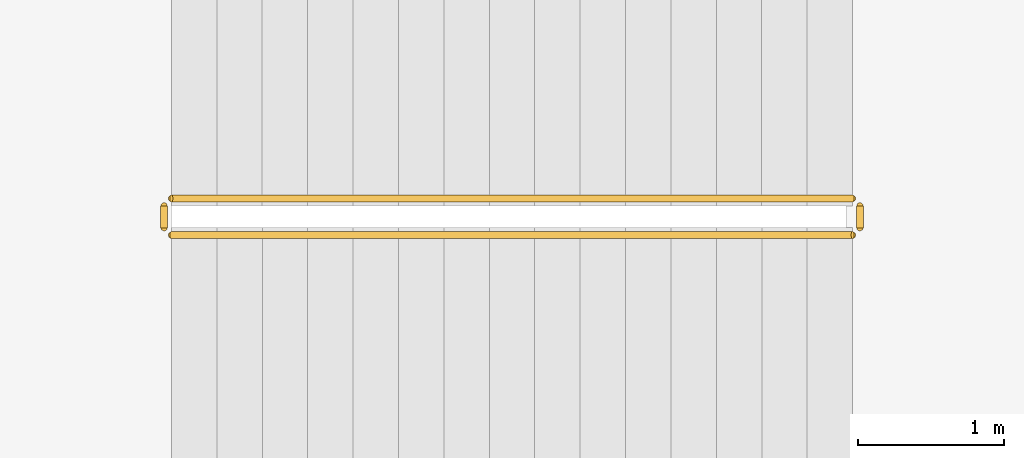
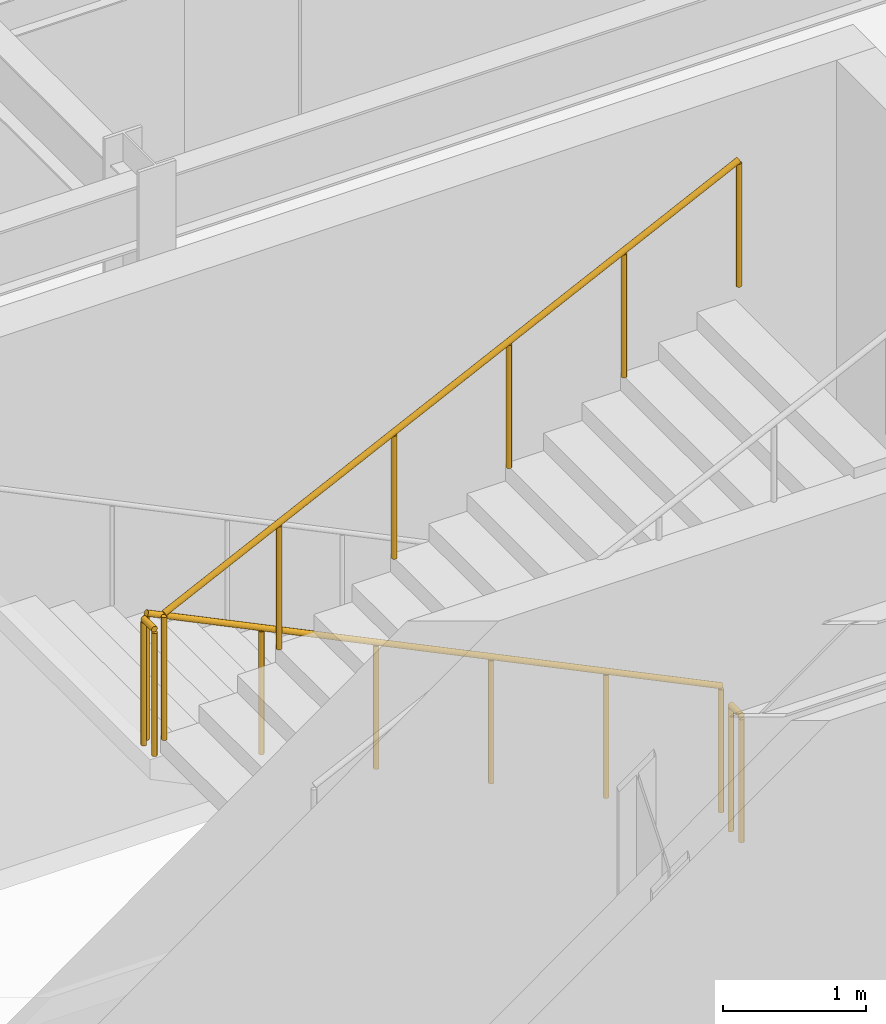
# One storey, part 115 of 121: 4 railings.
"""IFC4 building model written with IfcOpenShell, lengths in metres."""

import ifcopenshell
import ifcopenshell.guid

model = None  # the IFC model being written
_history = None  # IfcOwnerHistory: only IFC2X3 demands one
_inside = {}  # id of a spatial element -> (the spatial element, [elements in it])
_under = {}  # id of a project, library or spatial element -> (it, [spatial elements below it])
_declared = {}  # id of a project -> (the project, [libraries it declares])
_typed = {}  # id of a type object -> (the type object, [elements of that type])
_made_of = {}  # id of a material, layer set ... -> (it, [elements and type objects made of it])


def new_model(schema):
    """Start an empty IFC model of exactly this schema.

    Asked for "IFC4X3", IfcOpenShell would pick the latest addendum, in which some entities
    have other attributes; the version numbers below select the first issue.
    IFC2X3 requires an IfcOwnerHistory on every rooted entity: one is made here for all.
    """
    global model, _history
    if schema == "IFC4X3":
        model = ifcopenshell.file(schema_version=(4, 3, 0, 0))
    else:
        model = ifcopenshell.file(schema=schema)
    _inside.clear()
    _under.clear()
    _declared.clear()
    _typed.clear()
    _made_of.clear()
    _history = None
    if model.schema == "IFC2X3":
        org = make("IfcOrganization", Name="unknown")
        user = make(
            "IfcPersonAndOrganization",
            ThePerson=make("IfcPerson", FamilyName="unknown"),
            TheOrganization=org,
        )
        app = make(
            "IfcApplication",
            ApplicationDeveloper=org,
            Version="unknown",
            ApplicationFullName="unknown",
            ApplicationIdentifier="unknown",
        )
        _history = make(
            "IfcOwnerHistory",
            OwningUser=user,
            OwningApplication=app,
            ChangeAction="ADDED",
            CreationDate=0,
        )
    return model


def make(cls, **values):
    """One entity of the class cls with the attributes given. An attribute that is None is left unset."""
    return model.create_entity(
        cls, **{name: value for name, value in values.items() if value is not None}
    )


def rooted(cls, **values):
    """An entity with a GlobalId (a new one), such as an element, a storey or a relation."""
    return make(cls, GlobalId=ifcopenshell.guid.new(), OwnerHistory=_history, **values)


def si_unit(unit_type, name, prefix=None):
    """IfcSIUnit, for example si_unit("LENGTHUNIT", "METRE", prefix="MILLI")."""
    return make("IfcSIUnit", UnitType=unit_type, Prefix=prefix, Name=name)


def assignment(units):
    """IfcUnitAssignment: the units of a project."""
    return None if units is None else make("IfcUnitAssignment", Units=units)


def point(xyz):
    """IfcCartesianPoint."""
    return None if xyz is None else make("IfcCartesianPoint", Coordinates=xyz)


def direction(xyz):
    """IfcDirection."""
    return None if xyz is None else make("IfcDirection", DirectionRatios=xyz)


def frame(location, z_axis=None, x_axis=None):
    """IfcAxis2Placement3D, a coordinate frame: its origin and axes. An axis left out is left unset."""
    return make(
        "IfcAxis2Placement3D",
        Location=point(location),
        Axis=direction(z_axis),
        RefDirection=direction(x_axis),
    )


def frame_2d(location, x_axis=None):
    """IfcAxis2Placement2D, a coordinate frame in the plane: its origin and x axis."""
    return make(
        "IfcAxis2Placement2D", Location=point(location), RefDirection=direction(x_axis)
    )


def origin():
    """The frame at (0, 0, 0) with its axes left unset."""
    return frame((0.0, 0.0, 0.0))


def origin_2d():
    """The frame at (0, 0) in the plane with its x axis left unset."""
    return frame_2d((0.0, 0.0))


def place(relative_to, where):
    """IfcLocalPlacement: puts the frame where relative to a parent placement (None: the world)."""
    return make(
        "IfcLocalPlacement", PlacementRelTo=relative_to, RelativePlacement=where
    )


def context(
    kind, dimensions, precision=None, world=None, true_north=None, identifier=None
):
    """IfcGeometricRepresentationContext, for example the 3D "Model" context."""
    return make(
        "IfcGeometricRepresentationContext",
        ContextIdentifier=identifier,
        ContextType=kind,
        CoordinateSpaceDimension=dimensions,
        Precision=precision,
        WorldCoordinateSystem=world,
        TrueNorth=true_north,
    )


def subcontext(parent, identifier, kind, view, scale=None):
    """IfcGeometricRepresentationSubContext, for example "Body" below "Model"."""
    return make(
        "IfcGeometricRepresentationSubContext",
        ContextIdentifier=identifier,
        ContextType=kind,
        ParentContext=parent,
        TargetScale=scale,
        TargetView=view,
    )


def project(units=None, contexts=None):
    """IfcProject with its units and contexts."""
    return rooted(
        "IfcProject",
        Name="project",
        RepresentationContexts=contexts,
        UnitsInContext=assignment(units),
    )


def spatial(cls, under=None, at=None, **own):
    """A site, building, storey or space (cls), placed at a placement, below another one or the project."""
    s = rooted(cls, ObjectPlacement=at, **own)
    if under is not None:
        _under.setdefault(under.id(), (under, []))[1].append(s)
    return s


def profile(cls, at=None, kind="AREA", **sizes):
    """A parametric profile (cls). Its sizes go by their IFC names, for example OverallWidth=200.0."""
    return make(cls, ProfileType=kind, Position=at, **sizes)


def circle(**sizes):
    """IfcCircleProfileDef."""
    return profile("IfcCircleProfileDef", **sizes)


def extrude(swept, where, along, depth):
    """IfcExtrudedAreaSolid: the profile swept, set in the frame where, extruded along a direction by depth."""
    return make(
        "IfcExtrudedAreaSolid",
        SweptArea=swept,
        Position=where,
        ExtrudedDirection=direction(along),
        Depth=depth,
    )


def shape(context_of_items, identifier, shape_type, items):
    """IfcShapeRepresentation: the items that make up one representation, for example the "Body"."""
    return make(
        "IfcShapeRepresentation",
        ContextOfItems=context_of_items,
        RepresentationIdentifier=identifier,
        RepresentationType=shape_type,
        Items=items,
    )


def material(Name=None, Category=None):
    """IfcMaterial."""
    return make("IfcMaterial", Name=Name, Category=Category)


def made_of(thing, what):
    """Note that an element or type object is made of a material, layer set ...; save() writes the relation."""
    if what is not None:
        _made_of.setdefault(what.id(), (what, []))[1].append(thing)
    return thing


def type_object(cls, material=None, **own):
    """A type object (cls), such as IfcWallType, which elements share."""
    return made_of(rooted(cls, **own), material)


def element(
    cls,
    number,
    at=None,
    inside=None,
    cuts=None,
    type_object=None,
    material=None,
    context=None,
    identifier="Body",
    shape_type=None,
    held_by="IfcProductDefinitionShape",
    body=None,
    shapes=None,
    **own,
):
    """One element of the class cls, such as IfcWall. Its Tag is "e" and its number.

    at: its placement. inside: the storey or other place that contains it. cuts: it is an
    opening in that element (IfcRelVoidsElement). A single representation is given by context,
    identifier, shape_type and body (its items); several are given by shapes. held_by: the class
    of the entity that holds the representations. save() writes the other relations.
    """
    e = rooted(cls, Tag="e%d" % number, ObjectPlacement=at, **own)
    if body is not None:
        shapes = [shape(context, identifier, shape_type, body)]
    if shapes is not None:
        e.Representation = make(held_by, Representations=shapes)
    if inside is not None:
        _inside.setdefault(inside.id(), (inside, []))[1].append(e)
    if cuts is not None:
        rooted(
            "IfcRelVoidsElement", RelatingBuildingElement=cuts, RelatedOpeningElement=e
        )
    if type_object is not None:
        _typed.setdefault(type_object.id(), (type_object, []))[1].append(e)
    return made_of(e, material)


def aggregate(whole, parts):
    """IfcRelAggregates: a whole, such as a stair, and the parts it consists of."""
    return rooted("IfcRelAggregates", RelatingObject=whole, RelatedObjects=parts)


def save(model, path):
    """Write the relations noted so far, then the file.

    IfcRelAggregates (storeys below a building ...), IfcRelContainedInSpatialStructure (elements
    in a storey), IfcRelDefinesByType, IfcRelAssociatesMaterial and IfcRelDeclares: one each for
    every whole, place, type object, material and project.
    """
    for whole, parts in _under.values():
        aggregate(whole, parts)
    for where, things in _inside.values():
        rooted(
            "IfcRelContainedInSpatialStructure",
            RelatedElements=things,
            RelatingStructure=where,
        )
    for kind, things in _typed.values():
        rooted("IfcRelDefinesByType", RelatedObjects=things, RelatingType=kind)
    for what, things in _made_of.values():
        rooted("IfcRelAssociatesMaterial", RelatedObjects=things, RelatingMaterial=what)
    for by, libraries in _declared.values():
        rooted("IfcRelDeclares", RelatingContext=by, RelatedDefinitions=libraries)
    model.write(path)


model = new_model("IFC4")

# Units and contexts
model_context = context("Model", 3, precision=1e-05, world=origin(), true_north=direction((0.0, 1.0)))
body_context = subcontext(model_context, "Body", "Model", "MODEL_VIEW")
ifc_project = project(units=[si_unit("LENGTHUNIT", "METRE"), si_unit("AREAUNIT", "SQUARE_METRE"), si_unit("VOLUMEUNIT", "CUBIC_METRE"), si_unit("PLANEANGLEUNIT", "RADIAN"), si_unit("MASSUNIT", "GRAM", prefix="KILO")], contexts=[model_context])

# Site, building, storey
site_placement = place(None, origin())
site = spatial("IfcSite", under=ifc_project, at=site_placement, CompositionType="ELEMENT")
building_placement = place(site_placement, origin())
building = spatial("IfcBuilding", under=site, at=building_placement, Name="Solvadek Multi-Sports Hall", CompositionType="ELEMENT")
storey_placement = place(building_placement, frame((0.0, 0.0, 4.800048828125)))
storey = spatial("IfcBuildingStorey", under=building, at=storey_placement, Name="L01", CompositionType="ELEMENT", Elevation=4.800048828125)

# Railings
ifc_material = material(Name="Steel E250 (250 MPa)", Category="steel")
railing_type = type_object("IfcRailingType", Name="INT-RAL-GRD115", PredefinedType="BALUSTRADE", material=ifc_material)
railing_1_placement = place(storey_placement, frame((17.199951171875, 81.89990234375, 0.14990234375)))
element("IfcRailing", 1, at=railing_1_placement, inside=storey, type_object=railing_type, Name="L01 ST-02 stair guard 1", PredefinedType="BALUSTRADE", context=body_context, shape_type="SweptSolid", body=[
    extrude(circle(Radius=0.02392578125, at=origin_2d()), frame((0.0, 0.0, 1.076171875), z_axis=(-0.900155664878, 0.0, 0.435568340204), x_axis=(0.0, -1.0, 0.0)), (0.0, 0.0, 1.0), 5.165771484375),
    extrude(circle(Radius=0.02099609375, at=origin_2d()), origin(), (0.0, 0.0, 1.0), 1.052001953125),
    extrude(circle(Radius=0.02099609375, at=origin_2d()), frame((-0.929931640625, 0.0, 0.449951171875)), (0.0, 0.0, 1.0), 1.052001953125),
    extrude(circle(Radius=0.02099609375, at=origin_2d()), frame((-1.85986328125, 0.0, 0.89990234375)), (0.0, 0.0, 1.0), 1.052001953125),
    extrude(circle(Radius=0.02099609375, at=origin_2d()), frame((-2.7900390625, 0.0, 1.35009765625)), (0.0, 0.0, 1.0), 1.052001953125),
    extrude(circle(Radius=0.02099609375, at=origin_2d()), frame((-3.719970703125, 0.0, 1.800048828125)), (0.0, 0.0, 1.0), 1.052001953125),
    extrude(circle(Radius=0.02099609375, at=origin_2d()), frame((-4.64990234375, 0.0, 2.25)), (0.0, 0.0, 1.0), 1.052001953125),
])
railing_2_placement = place(storey_placement, frame((12.5, 81.85009765625, 2.39990234375)))
element("IfcRailing", 2, at=railing_2_placement, inside=storey, type_object=railing_type, Name="L01 ST-02 stair guard 2", PredefinedType="BALUSTRADE", context=body_context, shape_type="SweptSolid", body=[
    extrude(circle(Radius=0.02392578125, at=origin_2d()), frame((0.0, 0.0, 1.076171875), z_axis=(0.0, -1.0, 0.0), x_axis=(1.0, 0.0, 0.0)), (0.0, 0.0, 1.0), 0.150146484375),
    extrude(circle(Radius=0.02099609375, at=origin_2d()), origin(), (0.0, 0.0, 1.0), 1.052001953125),
    extrude(circle(Radius=0.02099609375, at=origin_2d()), frame((0.0, -0.150146484375, 0.0)), (0.0, 0.0, 1.0), 1.052001953125),
])
railing_3_placement = place(storey_placement, frame((12.550048828125, 81.64990234375, 2.550048828125)))
element("IfcRailing", 3, at=railing_3_placement, inside=storey, type_object=railing_type, Name="L01 ST-02 stair guard 3", PredefinedType="BALUSTRADE", context=body_context, shape_type="SweptSolid", body=[
    extrude(circle(Radius=0.02392578125, at=origin_2d()), frame((0.0, 0.0, 1.076171875), z_axis=(0.900155664878, 0.0, 0.435568340204), x_axis=(0.0, 1.0, 0.0)), (0.0, 0.0, 1.0), 5.165771484375),
    extrude(circle(Radius=0.02099609375, at=origin_2d()), origin(), (0.0, 0.0, 1.0), 1.052001953125),
    extrude(circle(Radius=0.02099609375, at=origin_2d()), frame((0.929931640625, 0.0, 0.449951171875)), (0.0, 0.0, 1.0), 1.052001953125),
    extrude(circle(Radius=0.02099609375, at=origin_2d()), frame((1.85986328125, 0.0, 0.89990234375)), (0.0, 0.0, 1.0), 1.052001953125),
    extrude(circle(Radius=0.02099609375, at=origin_2d()), frame((2.7900390625, 0.0, 1.35009765625)), (0.0, 0.0, 1.0), 1.052001953125),
    extrude(circle(Radius=0.02099609375, at=origin_2d()), frame((3.719970703125, 0.0, 1.800048828125)), (0.0, 0.0, 1.0), 1.052001953125),
    extrude(circle(Radius=0.02099609375, at=origin_2d()), frame((4.64990234375, 0.0, 2.25)), (0.0, 0.0, 1.0), 1.052001953125),
])
railing_4_placement = place(storey_placement, frame((17.25, 81.85009765625, 0.0)))
element("IfcRailing", 4, at=railing_4_placement, inside=storey, type_object=railing_type, Name="L01 ST-02 stair guard 4", PredefinedType="BALUSTRADE", context=body_context, shape_type="SweptSolid", body=[
    extrude(circle(Radius=0.02392578125, at=origin_2d()), frame((0.0, 0.0, 1.076171875), z_axis=(0.0, -1.0, 0.0), x_axis=(1.0, 0.0, 0.0)), (0.0, 0.0, 1.0), 0.150146484375),
    extrude(circle(Radius=0.02099609375, at=origin_2d()), origin(), (0.0, 0.0, 1.0), 1.052001953125),
    extrude(circle(Radius=0.02099609375, at=origin_2d()), frame((0.0, -0.150146484375, 0.0)), (0.0, 0.0, 1.0), 1.052001953125),
])

save(model, "model.ifc")
